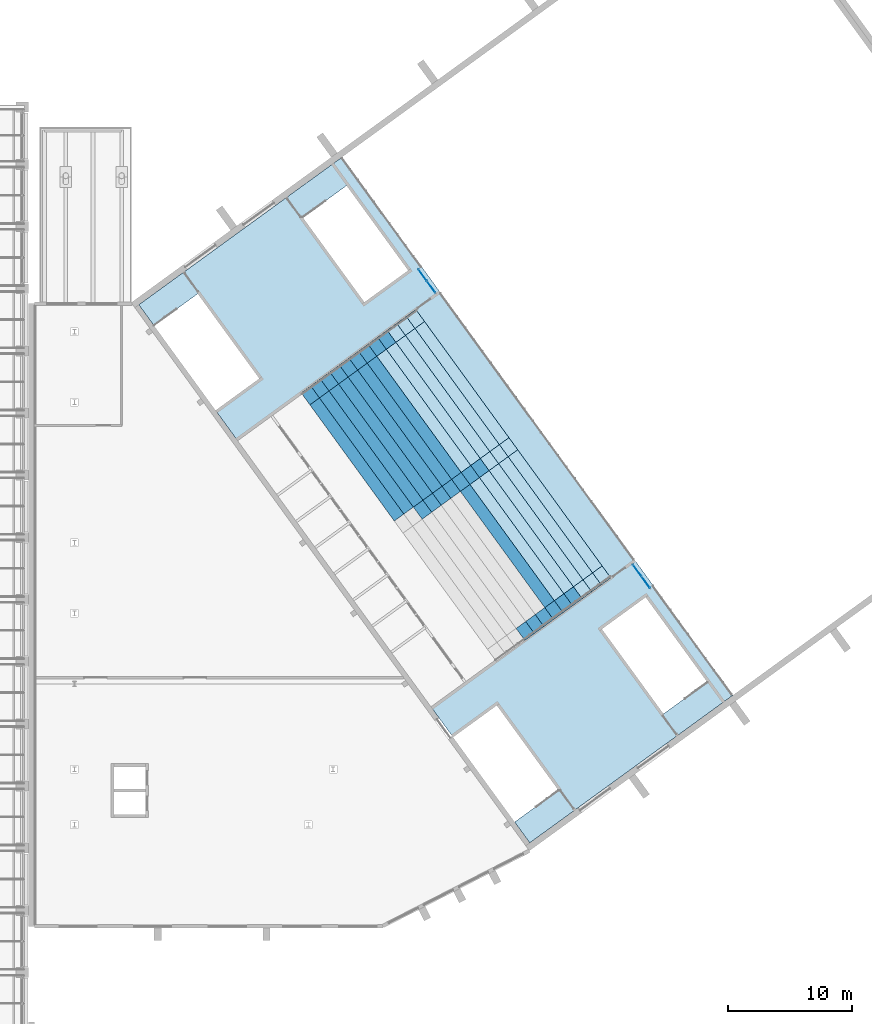
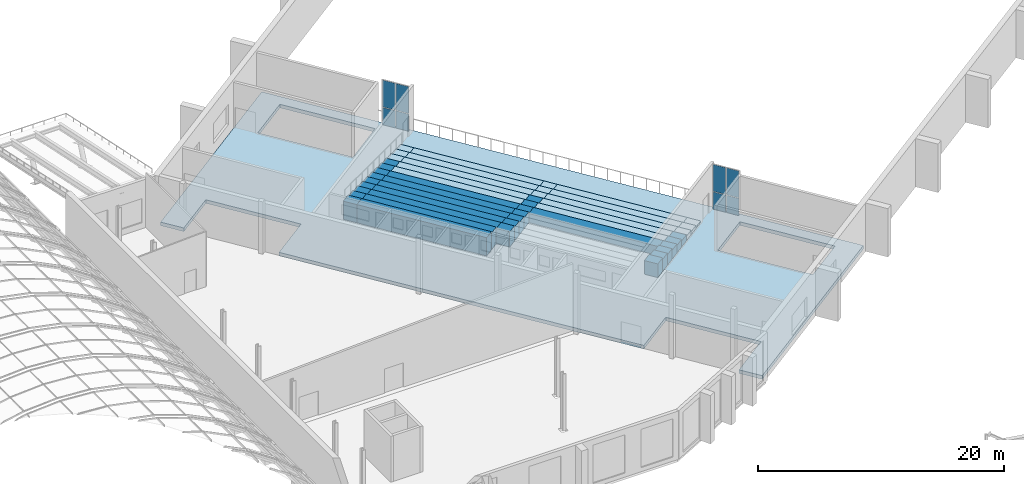
# One storey, part 118 of 182: 50 slabs, 8 plates, 2 elements without a shape of their own.
"""IFC4 building model written with IfcOpenShell, lengths in metres."""

from ifc_helpers import new_model, si_unit, direction, frame, origin, origin_2d, place, context, subcontext, project, spatial, polyline, rectangle, outline, extrude, material, layer, layer_set, type_object, element, aggregate, save


model = new_model("IFC4")

# Units and contexts
model_context = context("Model", 3, precision=1e-05, world=origin(), true_north=direction((0.0, 1.0)))
body_context = subcontext(model_context, "Body", "Model", "MODEL_VIEW")
ifc_project = project(units=[si_unit("LENGTHUNIT", "METRE"), si_unit("AREAUNIT", "SQUARE_METRE"), si_unit("VOLUMEUNIT", "CUBIC_METRE"), si_unit("PLANEANGLEUNIT", "RADIAN"), si_unit("MASSUNIT", "GRAM", prefix="KILO")], contexts=[model_context])

# Site, building, storey
site_placement = place(None, origin())
site = spatial("IfcSite", under=ifc_project, at=site_placement, CompositionType="ELEMENT")
building_placement = place(site_placement, origin())
building = spatial("IfcBuilding", under=site, at=building_placement, Name="Okhra Congress Centre", CompositionType="ELEMENT")
storey_placement = place(building_placement, frame((0.0, 0.0, 7.199951171875)))
storey = spatial("IfcBuildingStorey", under=building, at=storey_placement, Name="L01", CompositionType="ELEMENT", Elevation=7.199951171875)

# Curtain wall, plates
ifc_material_1 = material(Name="Aluminium curtain wall, triple glazing", Category="aluminium")
curtain_wall_type = type_object("IfcCurtainWallType", Name="Curtain wall 1500 module", PredefinedType="NOTDEFINED", material=ifc_material_1)
curtain_wall_1_placement = place(storey_placement, origin())
curtain_wall_1 = element("IfcCurtainWall", 1, at=curtain_wall_1_placement, inside=storey, type_object=curtain_wall_type, Name="Lounge glazing S", PredefinedType="NOTDEFINED")
ifc_material_2 = material(Name="Triple glazing unit, low-e coating, argon fill", Category="glass")
ifc_layer_1 = layer(ifc_material_2, 0.028076171875)
ifc_layer_set_1 = layer_set([ifc_layer_1], Name="Curtain wall glazing unit 28")
plate_type = type_object("IfcPlateType", Name="Curtain wall glazing unit 28", PredefinedType="CURTAIN_PANEL", material=ifc_layer_set_1)
plate_1_placement = place(storey_placement, frame((239.157958984375, 177.388427734375, 0.06005859375), z_axis=(0.0, 0.0, 1.0), x_axis=(-0.587785252222, 0.809016994426, 0.0)))
plate_1 = element("IfcPlate", 2, at=plate_1_placement, type_object=plate_type, Name="CW7 panel 1.1", PredefinedType="CURTAIN_PANEL", context=body_context, shape_type="SweptSolid", body=[
    extrude(rectangle(XDim=1.12255859375, YDim=0.028076171875, at=origin_2d()), origin(), (0.0, 0.0, 1.0), 1.7099609375),
])
plate_2_placement = place(storey_placement, frame((239.157958984375, 177.388427734375, 1.830078125), z_axis=(0.0, 0.0, 1.0), x_axis=(-0.587785252222, 0.809016994426, 0.0)))
plate_2 = element("IfcPlate", 3, at=plate_2_placement, type_object=plate_type, Name="CW7 panel 1.2", PredefinedType="CURTAIN_PANEL", context=body_context, shape_type="SweptSolid", body=[
    extrude(rectangle(XDim=1.12255859375, YDim=0.028076171875, at=origin_2d()), origin(), (0.0, 0.0, 1.0), 2.659912109375),
])
plate_3_placement = place(storey_placement, frame((238.462890625, 178.344970703125, 0.06005859375), z_axis=(0.0, 0.0, 1.0), x_axis=(-0.587785252222, 0.809016994426, 0.0)))
plate_3 = element("IfcPlate", 4, at=plate_3_placement, type_object=plate_type, Name="CW7 panel 2.1", PredefinedType="CURTAIN_PANEL", context=body_context, shape_type="SweptSolid", body=[
    extrude(rectangle(XDim=1.12255859375, YDim=0.028076171875, at=origin_2d()), origin(), (0.0, 0.0, 1.0), 1.7099609375),
])
plate_4_placement = place(storey_placement, frame((238.462890625, 178.344970703125, 1.830078125), z_axis=(0.0, 0.0, 1.0), x_axis=(-0.587785252222, 0.809016994426, 0.0)))
plate_4 = element("IfcPlate", 5, at=plate_4_placement, type_object=plate_type, Name="CW7 panel 2.2", PredefinedType="CURTAIN_PANEL", context=body_context, shape_type="SweptSolid", body=[
    extrude(rectangle(XDim=1.12255859375, YDim=0.028076171875, at=origin_2d()), origin(), (0.0, 0.0, 1.0), 2.659912109375),
])
aggregate(curtain_wall_1, [plate_1, plate_2, plate_3, plate_4])

curtain_wall_2_placement = place(storey_placement, origin())
curtain_wall_2 = element("IfcCurtainWall", 6, at=curtain_wall_2_placement, inside=storey, type_object=curtain_wall_type, Name="Lounge glazing N", PredefinedType="NOTDEFINED")
plate_5_placement = place(storey_placement, frame((221.8916015625, 201.1533203125, 0.06005859375), z_axis=(0.0, 0.0, 1.0), x_axis=(-0.58778525242, 0.809016994283, 0.0)))
plate_5 = element("IfcPlate", 7, at=plate_5_placement, type_object=plate_type, Name="CW7 panel 1.1", PredefinedType="CURTAIN_PANEL", context=body_context, shape_type="SweptSolid", body=[
    extrude(rectangle(XDim=1.12255859375, YDim=0.028076171875, at=origin_2d()), origin(), (0.0, 0.0, 1.0), 1.7099609375),
])
plate_6_placement = place(storey_placement, frame((221.8916015625, 201.1533203125, 1.830078125), z_axis=(0.0, 0.0, 1.0), x_axis=(-0.58778525242, 0.809016994283, 0.0)))
plate_6 = element("IfcPlate", 8, at=plate_6_placement, type_object=plate_type, Name="CW7 panel 1.2", PredefinedType="CURTAIN_PANEL", context=body_context, shape_type="SweptSolid", body=[
    extrude(rectangle(XDim=1.12255859375, YDim=0.028076171875, at=origin_2d()), origin(), (0.0, 0.0, 1.0), 2.659912109375),
])
plate_7_placement = place(storey_placement, frame((221.196533203125, 202.10986328125, 0.06005859375), z_axis=(0.0, 0.0, 1.0), x_axis=(-0.58778525242, 0.809016994283, 0.0)))
plate_7 = element("IfcPlate", 9, at=plate_7_placement, type_object=plate_type, Name="CW7 panel 2.1", PredefinedType="CURTAIN_PANEL", context=body_context, shape_type="SweptSolid", body=[
    extrude(rectangle(XDim=1.12255859375, YDim=0.028076171875, at=origin_2d()), origin(), (0.0, 0.0, 1.0), 1.7099609375),
])
plate_8_placement = place(storey_placement, frame((221.196533203125, 202.10986328125, 1.830078125), z_axis=(0.0, 0.0, 1.0), x_axis=(-0.58778525242, 0.809016994283, 0.0)))
plate_8 = element("IfcPlate", 10, at=plate_8_placement, type_object=plate_type, Name="CW7 panel 2.2", PredefinedType="CURTAIN_PANEL", context=body_context, shape_type="SweptSolid", body=[
    extrude(rectangle(XDim=1.12255859375, YDim=0.028076171875, at=origin_2d()), origin(), (0.0, 0.0, 1.0), 2.659912109375),
])
aggregate(curtain_wall_2, [plate_5, plate_6, plate_7, plate_8])

# Slabs
ifc_material_3 = material(Name="Precast concrete C40/50", Category="concrete")
slab_type_1 = type_object("IfcSlabType", Name="Precast RC balcony aisle step unit C40/50", PredefinedType="FLOOR", material=ifc_material_3)
slab_1_placement = place(storey_placement, origin())
element("IfcSlab", 11, at=slab_1_placement, inside=storey, type_object=slab_type_1, Name="Balcony aisle step unit 1.1", PredefinedType="FLOOR", context=body_context, shape_type="SweptSolid", body=[
    extrude(outline(polyline([(235.5810546875, 177.173583984375), (236.349609375, 177.732177734375), (235.644287109375, 178.702880859375), (234.875732421875, 178.14453125), (235.5810546875, 177.173583984375)])), origin(), (0.0, 0.0, 1.0), 0.150146484375),
])
slab_2_placement = place(storey_placement, origin())
element("IfcSlab", 12, at=slab_2_placement, inside=storey, type_object=slab_type_1, Name="Balcony aisle step unit 1.3", PredefinedType="FLOOR", context=body_context, shape_type="SweptSolid", body=[
    extrude(outline(polyline([(228.086669921875, 187.48876953125), (228.855224609375, 188.047119140625), (228.14990234375, 189.017822265625), (227.38134765625, 188.45947265625), (228.086669921875, 187.48876953125)])), origin(), (0.0, 0.0, 1.0), 0.150146484375),
])
slab_3_placement = place(storey_placement, origin())
element("IfcSlab", 13, at=slab_3_placement, inside=storey, type_object=slab_type_1, Name="Balcony aisle step unit 1.5", PredefinedType="FLOOR", context=body_context, shape_type="SweptSolid", body=[
    extrude(outline(polyline([(220.592529296875, 197.8037109375), (221.361083984375, 198.362060546875), (220.65576171875, 199.332763671875), (219.88720703125, 198.7744140625), (220.592529296875, 197.8037109375)])), origin(), (0.0, 0.0, 1.0), 0.150146484375),
])
slab_4_placement = place(storey_placement, origin())
element("IfcSlab", 14, at=slab_4_placement, inside=storey, type_object=slab_type_1, Name="Balcony aisle step unit 2.1", PredefinedType="FLOOR", context=body_context, shape_type="SweptSolid", body=[
    extrude(outline(polyline([(234.8125, 176.615234375), (235.5810546875, 177.173583984375), (234.875732421875, 178.14453125), (234.10693359375, 177.586181640625), (234.8125, 176.615234375)])), origin(), (0.0, 0.0, 1.0), 0.300048828125),
])
slab_5_placement = place(storey_placement, origin())
element("IfcSlab", 15, at=slab_5_placement, inside=storey, type_object=slab_type_1, Name="Balcony aisle step unit 2.3", PredefinedType="FLOOR", context=body_context, shape_type="SweptSolid", body=[
    extrude(outline(polyline([(227.318115234375, 186.93017578125), (228.086669921875, 187.48876953125), (227.38134765625, 188.45947265625), (226.61279296875, 187.901123046875), (227.318115234375, 186.93017578125)])), origin(), (0.0, 0.0, 1.0), 0.300048828125),
])
slab_6_placement = place(storey_placement, origin())
element("IfcSlab", 16, at=slab_6_placement, inside=storey, type_object=slab_type_1, Name="Balcony aisle step unit 2.5", PredefinedType="FLOOR", context=body_context, shape_type="SweptSolid", body=[
    extrude(outline(polyline([(219.823974609375, 197.245361328125), (220.592529296875, 197.8037109375), (219.88720703125, 198.7744140625), (219.11865234375, 198.216064453125), (219.823974609375, 197.245361328125)])), origin(), (0.0, 0.0, 1.0), 0.300048828125),
])
slab_7_placement = place(storey_placement, origin())
element("IfcSlab", 17, at=slab_7_placement, inside=storey, type_object=slab_type_1, Name="Balcony aisle step unit 3.1", PredefinedType="FLOOR", context=body_context, shape_type="SweptSolid", body=[
    extrude(outline(polyline([(234.0439453125, 176.056884765625), (234.8125, 176.615234375), (234.10693359375, 177.586181640625), (233.33837890625, 177.02783203125), (234.0439453125, 176.056884765625)])), origin(), (0.0, 0.0, 1.0), 0.449951171875),
])
slab_8_placement = place(storey_placement, origin())
element("IfcSlab", 18, at=slab_8_placement, inside=storey, type_object=slab_type_1, Name="Balcony aisle step unit 3.3", PredefinedType="FLOOR", context=body_context, shape_type="SweptSolid", body=[
    extrude(outline(polyline([(226.549560546875, 186.371826171875), (227.318115234375, 186.93017578125), (226.61279296875, 187.901123046875), (225.84423828125, 187.3427734375), (226.549560546875, 186.371826171875)])), origin(), (0.0, 0.0, 1.0), 0.449951171875),
])
slab_9_placement = place(storey_placement, origin())
element("IfcSlab", 19, at=slab_9_placement, inside=storey, type_object=slab_type_1, Name="Balcony aisle step unit 3.5", PredefinedType="FLOOR", context=body_context, shape_type="SweptSolid", body=[
    extrude(outline(polyline([(219.055419921875, 196.686767578125), (219.823974609375, 197.245361328125), (219.11865234375, 198.216064453125), (218.349853515625, 197.65771484375), (219.055419921875, 196.686767578125)])), origin(), (0.0, 0.0, 1.0), 0.449951171875),
])
slab_10_placement = place(storey_placement, origin())
element("IfcSlab", 20, at=slab_10_placement, inside=storey, type_object=slab_type_1, Name="Balcony aisle step unit 4.1", PredefinedType="FLOOR", context=body_context, shape_type="SweptSolid", body=[
    extrude(outline(polyline([(233.275146484375, 175.49853515625), (234.0439453125, 176.056884765625), (233.33837890625, 177.02783203125), (232.56982421875, 176.46923828125), (233.275146484375, 175.49853515625)])), origin(), (0.0, 0.0, 1.0), 0.60009765625),
])
slab_11_placement = place(storey_placement, origin())
element("IfcSlab", 21, at=slab_11_placement, inside=storey, type_object=slab_type_1, Name="Balcony aisle step unit 4.3", PredefinedType="FLOOR", context=body_context, shape_type="SweptSolid", body=[
    extrude(outline(polyline([(225.781005859375, 185.8134765625), (226.549560546875, 186.371826171875), (225.84423828125, 187.3427734375), (225.07568359375, 186.784423828125), (225.781005859375, 185.8134765625)])), origin(), (0.0, 0.0, 1.0), 0.60009765625),
])
slab_12_placement = place(storey_placement, origin())
element("IfcSlab", 22, at=slab_12_placement, inside=storey, type_object=slab_type_1, Name="Balcony aisle step unit 4.5", PredefinedType="FLOOR", context=body_context, shape_type="SweptSolid", body=[
    extrude(outline(polyline([(218.28662109375, 196.12841796875), (219.055419921875, 196.686767578125), (218.349853515625, 197.65771484375), (217.581298828125, 197.099365234375), (218.28662109375, 196.12841796875)])), origin(), (0.0, 0.0, 1.0), 0.60009765625),
])
slab_13_placement = place(storey_placement, origin())
element("IfcSlab", 23, at=slab_13_placement, inside=storey, type_object=slab_type_1, Name="Balcony aisle step unit 5.1", PredefinedType="FLOOR", context=body_context, shape_type="SweptSolid", body=[
    extrude(outline(polyline([(232.506591796875, 174.940185546875), (233.275146484375, 175.49853515625), (232.56982421875, 176.46923828125), (231.80126953125, 175.910888671875), (232.506591796875, 174.940185546875)])), origin(), (0.0, 0.0, 1.0), 0.75),
])
slab_14_placement = place(storey_placement, origin())
element("IfcSlab", 24, at=slab_14_placement, inside=storey, type_object=slab_type_1, Name="Balcony aisle step unit 5.3", PredefinedType="FLOOR", context=body_context, shape_type="SweptSolid", body=[
    extrude(outline(polyline([(225.012451171875, 185.255126953125), (225.781005859375, 185.8134765625), (225.07568359375, 186.784423828125), (224.30712890625, 186.225830078125), (225.012451171875, 185.255126953125)])), origin(), (0.0, 0.0, 1.0), 0.75),
])
slab_15_placement = place(storey_placement, origin())
element("IfcSlab", 25, at=slab_15_placement, inside=storey, type_object=slab_type_1, Name="Balcony aisle step unit 5.5", PredefinedType="FLOOR", context=body_context, shape_type="SweptSolid", body=[
    extrude(outline(polyline([(217.51806640625, 195.570068359375), (218.28662109375, 196.12841796875), (217.581298828125, 197.099365234375), (216.812744140625, 196.540771484375), (217.51806640625, 195.570068359375)])), origin(), (0.0, 0.0, 1.0), 0.75),
])
slab_16_placement = place(storey_placement, origin())
element("IfcSlab", 26, at=slab_16_placement, inside=storey, type_object=slab_type_1, Name="Balcony aisle step unit 6.1", PredefinedType="FLOOR", context=body_context, shape_type="SweptSolid", body=[
    extrude(outline(polyline([(231.738037109375, 174.3818359375), (232.506591796875, 174.940185546875), (231.80126953125, 175.910888671875), (231.03271484375, 175.3525390625), (231.738037109375, 174.3818359375)])), origin(), (0.0, 0.0, 1.0), 0.900146484375),
])
slab_17_placement = place(storey_placement, origin())
element("IfcSlab", 27, at=slab_17_placement, inside=storey, type_object=slab_type_1, Name="Balcony aisle step unit 6.3", PredefinedType="FLOOR", context=body_context, shape_type="SweptSolid", body=[
    extrude(outline(polyline([(224.243896484375, 184.69677734375), (225.012451171875, 185.255126953125), (224.30712890625, 186.225830078125), (223.53857421875, 185.66748046875), (224.243896484375, 184.69677734375)])), origin(), (0.0, 0.0, 1.0), 0.900146484375),
])
slab_18_placement = place(storey_placement, origin())
element("IfcSlab", 28, at=slab_18_placement, inside=storey, type_object=slab_type_1, Name="Balcony aisle step unit 6.5", PredefinedType="FLOOR", context=body_context, shape_type="SweptSolid", body=[
    extrude(outline(polyline([(216.74951171875, 195.01171875), (217.51806640625, 195.570068359375), (216.812744140625, 196.540771484375), (216.044189453125, 195.982421875), (216.74951171875, 195.01171875)])), origin(), (0.0, 0.0, 1.0), 0.900146484375),
])
slab_19_placement = place(storey_placement, origin())
element("IfcSlab", 29, at=slab_19_placement, inside=storey, type_object=slab_type_1, Name="Balcony aisle step unit 7.1", PredefinedType="FLOOR", context=body_context, shape_type="SweptSolid", body=[
    extrude(outline(polyline([(230.969482421875, 173.8232421875), (231.738037109375, 174.3818359375), (231.03271484375, 175.3525390625), (230.26416015625, 174.794189453125), (230.969482421875, 173.8232421875)])), origin(), (0.0, 0.0, 1.0), 1.050048828125),
])
slab_20_placement = place(storey_placement, origin())
element("IfcSlab", 30, at=slab_20_placement, inside=storey, type_object=slab_type_1, Name="Balcony aisle step unit 7.3", PredefinedType="FLOOR", context=body_context, shape_type="SweptSolid", body=[
    extrude(outline(polyline([(223.475341796875, 184.13818359375), (224.243896484375, 184.69677734375), (223.53857421875, 185.66748046875), (222.77001953125, 185.109130859375), (223.475341796875, 184.13818359375)])), origin(), (0.0, 0.0, 1.0), 1.050048828125),
])
slab_21_placement = place(storey_placement, origin())
element("IfcSlab", 31, at=slab_21_placement, inside=storey, type_object=slab_type_1, Name="Balcony aisle step unit 7.5", PredefinedType="FLOOR", context=body_context, shape_type="SweptSolid", body=[
    extrude(outline(polyline([(215.98095703125, 194.453369140625), (216.74951171875, 195.01171875), (216.044189453125, 195.982421875), (215.275634765625, 195.424072265625), (215.98095703125, 194.453369140625)])), origin(), (0.0, 0.0, 1.0), 1.050048828125),
])
slab_22_placement = place(storey_placement, origin())
element("IfcSlab", 32, at=slab_22_placement, inside=storey, type_object=slab_type_1, Name="Balcony aisle step unit 8.1", PredefinedType="FLOOR", context=body_context, shape_type="SweptSolid", body=[
    extrude(outline(polyline([(230.200927734375, 173.264892578125), (230.969482421875, 173.8232421875), (230.26416015625, 174.794189453125), (229.49560546875, 174.23583984375), (230.200927734375, 173.264892578125)])), origin(), (0.0, 0.0, 1.0), 1.199951171875),
])
slab_23_placement = place(storey_placement, origin())
element("IfcSlab", 33, at=slab_23_placement, inside=storey, type_object=slab_type_1, Name="Balcony aisle step unit 8.3", PredefinedType="FLOOR", context=body_context, shape_type="SweptSolid", body=[
    extrude(outline(polyline([(222.706787109375, 183.579833984375), (223.475341796875, 184.13818359375), (222.77001953125, 185.109130859375), (222.00146484375, 184.55078125), (222.706787109375, 183.579833984375)])), origin(), (0.0, 0.0, 1.0), 1.199951171875),
])
slab_24_placement = place(storey_placement, origin())
element("IfcSlab", 34, at=slab_24_placement, inside=storey, type_object=slab_type_1, Name="Balcony aisle step unit 8.5", PredefinedType="FLOOR", context=body_context, shape_type="SweptSolid", body=[
    extrude(outline(polyline([(215.21240234375, 193.894775390625), (215.98095703125, 194.453369140625), (215.275634765625, 195.424072265625), (214.507080078125, 194.86572265625), (215.21240234375, 193.894775390625)])), origin(), (0.0, 0.0, 1.0), 1.199951171875),
])
slab_25_placement = place(storey_placement, origin())
element("IfcSlab", 35, at=slab_25_placement, inside=storey, type_object=slab_type_1, Name="Balcony aisle step unit 9.1", PredefinedType="FLOOR", context=body_context, shape_type="SweptSolid", body=[
    extrude(outline(polyline([(229.432373046875, 172.70654296875), (230.200927734375, 173.264892578125), (229.49560546875, 174.23583984375), (228.72705078125, 173.67724609375), (229.432373046875, 172.70654296875)])), origin(), (0.0, 0.0, 1.0), 1.35009765625),
])
slab_26_placement = place(storey_placement, origin())
element("IfcSlab", 36, at=slab_26_placement, inside=storey, type_object=slab_type_1, Name="Balcony aisle step unit 9.3", PredefinedType="FLOOR", context=body_context, shape_type="SweptSolid", body=[
    extrude(outline(polyline([(221.938232421875, 183.021484375), (222.706787109375, 183.579833984375), (222.00146484375, 184.55078125), (221.23291015625, 183.992431640625), (221.938232421875, 183.021484375)])), origin(), (0.0, 0.0, 1.0), 1.35009765625),
])
slab_27_placement = place(storey_placement, origin())
element("IfcSlab", 37, at=slab_27_placement, inside=storey, type_object=slab_type_1, Name="Balcony aisle step unit 9.5", PredefinedType="FLOOR", context=body_context, shape_type="SweptSolid", body=[
    extrude(outline(polyline([(214.44384765625, 193.33642578125), (215.21240234375, 193.894775390625), (214.507080078125, 194.86572265625), (213.738525390625, 194.307373046875), (214.44384765625, 193.33642578125)])), origin(), (0.0, 0.0, 1.0), 1.35009765625),
])
slab_28_placement = place(storey_placement, origin())
element("IfcSlab", 38, at=slab_28_placement, inside=storey, type_object=slab_type_1, Name="Balcony aisle step unit 10.3", PredefinedType="FLOOR", context=body_context, shape_type="SweptSolid", body=[
    extrude(outline(polyline([(221.169677734375, 182.463134765625), (221.938232421875, 183.021484375), (221.23291015625, 183.992431640625), (220.46435546875, 183.433837890625), (221.169677734375, 182.463134765625)])), origin(), (0.0, 0.0, 1.0), 1.5),
])
slab_29_placement = place(storey_placement, origin())
element("IfcSlab", 39, at=slab_29_placement, inside=storey, type_object=slab_type_1, Name="Balcony aisle step unit 10.5", PredefinedType="FLOOR", context=body_context, shape_type="SweptSolid", body=[
    extrude(outline(polyline([(213.67529296875, 192.778076171875), (214.44384765625, 193.33642578125), (213.738525390625, 194.307373046875), (212.969970703125, 193.748779296875), (213.67529296875, 192.778076171875)])), origin(), (0.0, 0.0, 1.0), 1.5),
])
slab_30_placement = place(storey_placement, origin())
element("IfcSlab", 40, at=slab_30_placement, inside=storey, type_object=slab_type_1, Name="Balcony aisle step unit 11.5", PredefinedType="FLOOR", context=body_context, shape_type="SweptSolid", body=[
    extrude(outline(polyline([(212.90673828125, 192.2197265625), (213.67529296875, 192.778076171875), (212.969970703125, 193.748779296875), (212.201416015625, 193.1904296875), (212.90673828125, 192.2197265625)])), origin(), (0.0, 0.0, 1.0), 1.650146484375),
])
slab_31_placement = place(storey_placement, origin())
element("IfcSlab", 41, at=slab_31_placement, inside=storey, type_object=slab_type_1, Name="Balcony aisle step unit 12.5", PredefinedType="FLOOR", context=body_context, shape_type="SweptSolid", body=[
    extrude(outline(polyline([(212.13818359375, 191.661376953125), (212.90673828125, 192.2197265625), (212.201416015625, 193.1904296875), (211.432861328125, 192.632080078125), (212.13818359375, 191.661376953125)])), origin(), (0.0, 0.0, 1.0), 1.800048828125),
])
ifc_material_4 = material(Name="Precast concrete C35/45", Category="concrete")
slab_type_2 = type_object("IfcSlabType", Name="Precast RC balcony seat-row step unit C35/45", PredefinedType="FLOOR", material=ifc_material_4)
slab_32_placement = place(storey_placement, origin())
element("IfcSlab", 42, at=slab_32_placement, inside=storey, type_object=slab_type_2, Name="Balcony seat-row step unit 1.2", PredefinedType="FLOOR", context=body_context, shape_type="SweptSolid", body=[
    extrude(outline(polyline([(234.875732421875, 178.14453125), (235.644287109375, 178.702880859375), (228.855224609375, 188.047119140625), (228.086669921875, 187.48876953125), (234.875732421875, 178.14453125)])), origin(), (0.0, 0.0, 1.0), 0.150146484375),
])
slab_33_placement = place(storey_placement, origin())
element("IfcSlab", 43, at=slab_33_placement, inside=storey, type_object=slab_type_2, Name="Balcony seat-row step unit 1.4", PredefinedType="FLOOR", context=body_context, shape_type="SweptSolid", body=[
    extrude(outline(polyline([(227.38134765625, 188.45947265625), (228.14990234375, 189.017822265625), (221.361083984375, 198.362060546875), (220.592529296875, 197.8037109375), (227.38134765625, 188.45947265625)])), origin(), (0.0, 0.0, 1.0), 0.150146484375),
])
slab_34_placement = place(storey_placement, origin())
element("IfcSlab", 44, at=slab_34_placement, inside=storey, type_object=slab_type_2, Name="Balcony seat-row step unit 2.2", PredefinedType="FLOOR", context=body_context, shape_type="SweptSolid", body=[
    extrude(outline(polyline([(234.10693359375, 177.586181640625), (234.875732421875, 178.14453125), (228.086669921875, 187.48876953125), (227.318115234375, 186.93017578125), (234.10693359375, 177.586181640625)])), origin(), (0.0, 0.0, 1.0), 0.300048828125),
])
slab_35_placement = place(storey_placement, origin())
element("IfcSlab", 45, at=slab_35_placement, inside=storey, type_object=slab_type_2, Name="Balcony seat-row step unit 2.4", PredefinedType="FLOOR", context=body_context, shape_type="SweptSolid", body=[
    extrude(outline(polyline([(226.61279296875, 187.901123046875), (227.38134765625, 188.45947265625), (220.592529296875, 197.8037109375), (219.823974609375, 197.245361328125), (226.61279296875, 187.901123046875)])), origin(), (0.0, 0.0, 1.0), 0.300048828125),
])
slab_36_placement = place(storey_placement, origin())
element("IfcSlab", 46, at=slab_36_placement, inside=storey, type_object=slab_type_2, Name="Balcony seat-row step unit 3.2", PredefinedType="FLOOR", context=body_context, shape_type="SweptSolid", body=[
    extrude(outline(polyline([(233.33837890625, 177.02783203125), (234.10693359375, 177.586181640625), (227.318115234375, 186.93017578125), (226.549560546875, 186.371826171875), (233.33837890625, 177.02783203125)])), origin(), (0.0, 0.0, 1.0), 0.449951171875),
])
slab_37_placement = place(storey_placement, origin())
element("IfcSlab", 47, at=slab_37_placement, inside=storey, type_object=slab_type_2, Name="Balcony seat-row step unit 3.4", PredefinedType="FLOOR", context=body_context, shape_type="SweptSolid", body=[
    extrude(outline(polyline([(225.84423828125, 187.3427734375), (226.61279296875, 187.901123046875), (219.823974609375, 197.245361328125), (219.055419921875, 196.686767578125), (225.84423828125, 187.3427734375)])), origin(), (0.0, 0.0, 1.0), 0.449951171875),
])
slab_38_placement = place(storey_placement, origin())
element("IfcSlab", 48, at=slab_38_placement, inside=storey, type_object=slab_type_2, Name="Balcony seat-row step unit 4.2", PredefinedType="FLOOR", context=body_context, shape_type="SweptSolid", body=[
    extrude(outline(polyline([(232.56982421875, 176.46923828125), (233.33837890625, 177.02783203125), (226.549560546875, 186.371826171875), (225.781005859375, 185.8134765625), (232.56982421875, 176.46923828125)])), origin(), (0.0, 0.0, 1.0), 0.60009765625),
])
slab_39_placement = place(storey_placement, origin())
element("IfcSlab", 49, at=slab_39_placement, inside=storey, type_object=slab_type_2, Name="Balcony seat-row step unit 4.4", PredefinedType="FLOOR", context=body_context, shape_type="SweptSolid", body=[
    extrude(outline(polyline([(225.07568359375, 186.784423828125), (225.84423828125, 187.3427734375), (219.055419921875, 196.686767578125), (218.28662109375, 196.12841796875), (225.07568359375, 186.784423828125)])), origin(), (0.0, 0.0, 1.0), 0.60009765625),
])
slab_40_placement = place(storey_placement, origin())
element("IfcSlab", 50, at=slab_40_placement, inside=storey, type_object=slab_type_2, Name="Balcony seat-row step unit 5.2", PredefinedType="FLOOR", context=body_context, shape_type="SweptSolid", body=[
    extrude(outline(polyline([(231.80126953125, 175.910888671875), (232.56982421875, 176.46923828125), (225.781005859375, 185.8134765625), (225.012451171875, 185.255126953125), (231.80126953125, 175.910888671875)])), origin(), (0.0, 0.0, 1.0), 0.75),
])
slab_41_placement = place(storey_placement, origin())
element("IfcSlab", 51, at=slab_41_placement, inside=storey, type_object=slab_type_2, Name="Balcony seat-row step unit 5.4", PredefinedType="FLOOR", context=body_context, shape_type="SweptSolid", body=[
    extrude(outline(polyline([(224.30712890625, 186.225830078125), (225.07568359375, 186.784423828125), (218.28662109375, 196.12841796875), (217.51806640625, 195.570068359375), (224.30712890625, 186.225830078125)])), origin(), (0.0, 0.0, 1.0), 0.75),
])
slab_42_placement = place(storey_placement, origin())
element("IfcSlab", 52, at=slab_42_placement, inside=storey, type_object=slab_type_2, Name="Balcony seat-row step unit 6.2", PredefinedType="FLOOR", context=body_context, shape_type="SweptSolid", body=[
    extrude(outline(polyline([(231.03271484375, 175.3525390625), (231.80126953125, 175.910888671875), (225.012451171875, 185.255126953125), (224.243896484375, 184.69677734375), (231.03271484375, 175.3525390625)])), origin(), (0.0, 0.0, 1.0), 0.900146484375),
])
slab_43_placement = place(storey_placement, origin())
element("IfcSlab", 53, at=slab_43_placement, inside=storey, type_object=slab_type_2, Name="Balcony seat-row step unit 6.4", PredefinedType="FLOOR", context=body_context, shape_type="SweptSolid", body=[
    extrude(outline(polyline([(223.53857421875, 185.66748046875), (224.30712890625, 186.225830078125), (217.51806640625, 195.570068359375), (216.74951171875, 195.01171875), (223.53857421875, 185.66748046875)])), origin(), (0.0, 0.0, 1.0), 0.900146484375),
])
slab_44_placement = place(storey_placement, origin())
element("IfcSlab", 54, at=slab_44_placement, inside=storey, type_object=slab_type_2, Name="Balcony seat-row step unit 7.4", PredefinedType="FLOOR", context=body_context, shape_type="SweptSolid", body=[
    extrude(outline(polyline([(222.77001953125, 185.109130859375), (223.53857421875, 185.66748046875), (216.74951171875, 195.01171875), (215.98095703125, 194.453369140625), (222.77001953125, 185.109130859375)])), origin(), (0.0, 0.0, 1.0), 1.050048828125),
])
slab_45_placement = place(storey_placement, origin())
element("IfcSlab", 55, at=slab_45_placement, inside=storey, type_object=slab_type_2, Name="Balcony seat-row step unit 8.4", PredefinedType="FLOOR", context=body_context, shape_type="SweptSolid", body=[
    extrude(outline(polyline([(222.00146484375, 184.55078125), (222.77001953125, 185.109130859375), (215.98095703125, 194.453369140625), (215.21240234375, 193.894775390625), (222.00146484375, 184.55078125)])), origin(), (0.0, 0.0, 1.0), 1.199951171875),
])
slab_46_placement = place(storey_placement, origin())
element("IfcSlab", 56, at=slab_46_placement, inside=storey, type_object=slab_type_2, Name="Balcony seat-row step unit 9.4", PredefinedType="FLOOR", context=body_context, shape_type="SweptSolid", body=[
    extrude(outline(polyline([(221.23291015625, 183.992431640625), (222.00146484375, 184.55078125), (215.21240234375, 193.894775390625), (214.44384765625, 193.33642578125), (221.23291015625, 183.992431640625)])), origin(), (0.0, 0.0, 1.0), 1.35009765625),
])
slab_47_placement = place(storey_placement, origin())
element("IfcSlab", 57, at=slab_47_placement, inside=storey, type_object=slab_type_2, Name="Balcony seat-row step unit 10.4", PredefinedType="FLOOR", context=body_context, shape_type="SweptSolid", body=[
    extrude(outline(polyline([(220.46435546875, 183.433837890625), (221.23291015625, 183.992431640625), (214.44384765625, 193.33642578125), (213.67529296875, 192.778076171875), (220.46435546875, 183.433837890625)])), origin(), (0.0, 0.0, 1.0), 1.5),
])
slab_48_placement = place(storey_placement, origin())
element("IfcSlab", 58, at=slab_48_placement, inside=storey, type_object=slab_type_2, Name="Balcony seat-row step unit 11.4", PredefinedType="FLOOR", context=body_context, shape_type="SweptSolid", body=[
    extrude(outline(polyline([(219.69580078125, 182.87548828125), (220.46435546875, 183.433837890625), (213.67529296875, 192.778076171875), (212.90673828125, 192.2197265625), (219.69580078125, 182.87548828125)])), origin(), (0.0, 0.0, 1.0), 1.650146484375),
])
slab_49_placement = place(storey_placement, origin())
element("IfcSlab", 59, at=slab_49_placement, inside=storey, type_object=slab_type_2, Name="Balcony seat-row step unit 12.4", PredefinedType="FLOOR", context=body_context, shape_type="SweptSolid", body=[
    extrude(outline(polyline([(218.92724609375, 182.317138671875), (219.69580078125, 182.87548828125), (212.90673828125, 192.2197265625), (212.13818359375, 191.661376953125), (218.92724609375, 182.317138671875)])), origin(), (0.0, 0.0, 1.0), 1.800048828125),
])
ifc_material_5 = material(Name="Concrete C35/45", Category="concrete")
ifc_layer_2 = layer(ifc_material_5, 0.35009765625)
ifc_layer_set_2 = layer_set([ifc_layer_2], Name="RC floor slab 350 REI 120 C35/45")
slab_type_3 = type_object("IfcSlabType", Name="RC floor slab 350 REI 120 C35/45", PredefinedType="FLOOR", material=ifc_layer_set_2)
slab_50_placement = place(storey_placement, frame((0.0, 0.0, -0.349853515625)))
element("IfcSlab", 60, at=slab_50_placement, inside=storey, type_object=slab_type_3, Name="Balcony slab", PredefinedType="FLOOR", context=body_context, shape_type="SweptSolid", body=[
    extrude(outline(polyline([(199.595458984375, 198.036376953125), (203.13916015625, 200.61083984375), (208.11181640625, 193.7666015625), (204.568115234375, 191.192138671875), (223.635986328125, 164.94775390625), (227.179443359375, 167.522216796875), (232.152099609375, 160.677978515625), (228.608642578125, 158.103271484375), (229.825439453125, 156.4287109375), (246.16748046875, 168.302001953125), (214.720947265625, 211.58447265625), (198.37890625, 199.711181640625), (199.595458984375, 198.036376953125)]), holes=[polyline([(240.557861328125, 166.784912109375), (244.12548828125, 169.377197265625), (239.15283203125, 176.221435546875), (235.585205078125, 173.629150390625), (240.557861328125, 166.784912109375)]), polyline([(215.112548828125, 209.31005859375), (211.544677734375, 206.718017578125), (216.517333984375, 199.873779296875), (220.085205078125, 202.4658203125), (215.112548828125, 209.31005859375)])]), origin(), (0.0, 0.0, 1.0), 0.349853515625),
])

save(model, "model.ifc")
